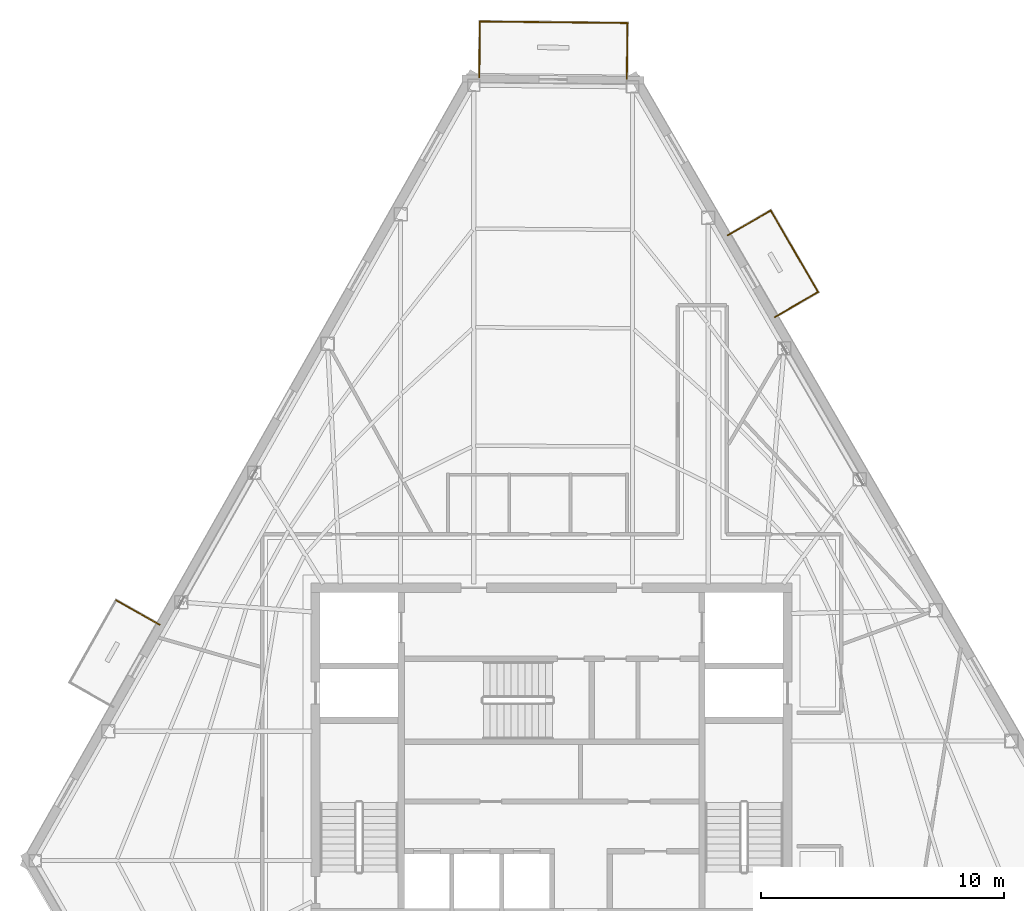
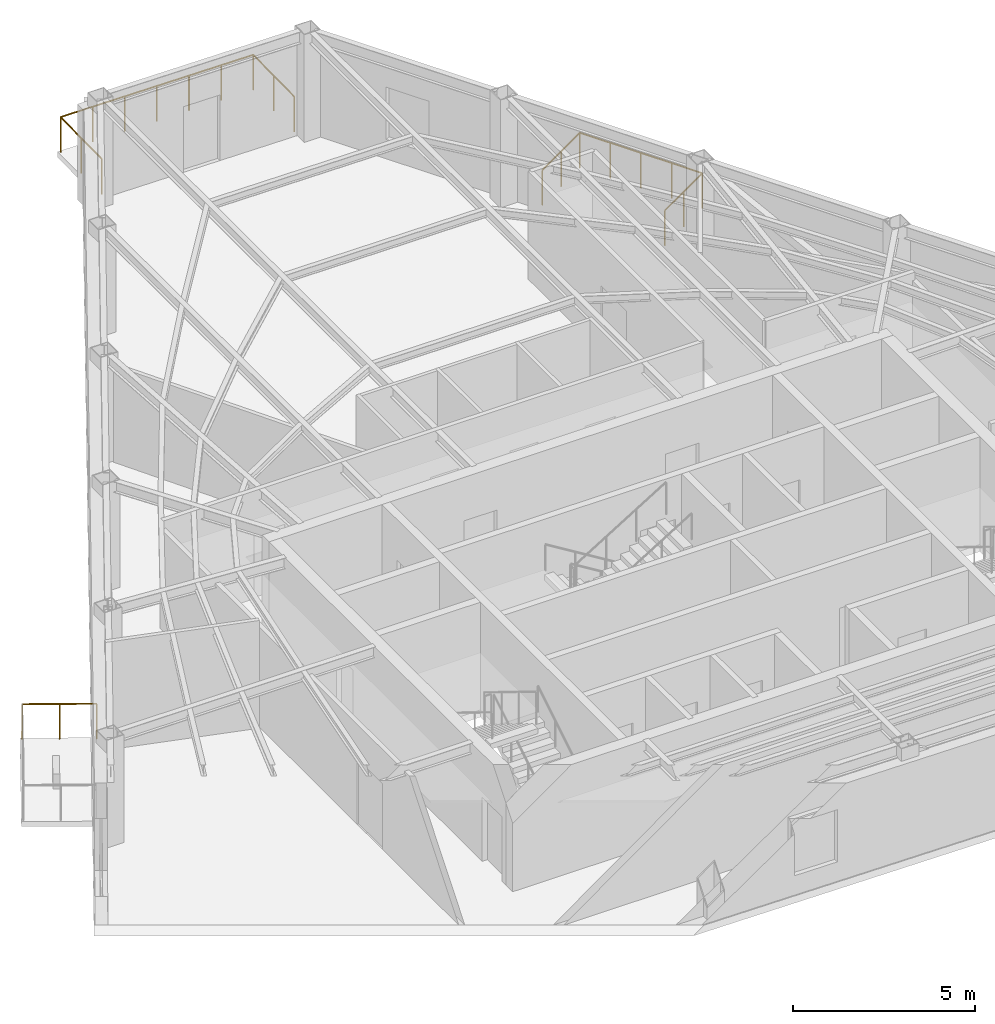
# One storey, part 10 of 10: 7 railings.
"""IFC4 building model written with IfcOpenShell, lengths in metres."""

from ifc_helpers import new_model, si_unit, direction, frame, origin, origin_2d, place, context, subcontext, project, spatial, circle, extrude, material, type_object, element, save


model = new_model("IFC4")

# Units and contexts
model_context = context("Model", 3, precision=1e-05, world=origin(), true_north=direction((0.0, 1.0)))
body_context = subcontext(model_context, "Body", "Model", "MODEL_VIEW")
ifc_project = project(units=[si_unit("LENGTHUNIT", "METRE"), si_unit("AREAUNIT", "SQUARE_METRE"), si_unit("VOLUMEUNIT", "CUBIC_METRE"), si_unit("PLANEANGLEUNIT", "RADIAN"), si_unit("MASSUNIT", "GRAM", prefix="KILO")], contexts=[model_context])

# Site, building, storey
site_placement = place(None, origin())
site = spatial("IfcSite", under=ifc_project, at=site_placement, CompositionType="ELEMENT")
building_placement = place(site_placement, origin())
building = spatial("IfcBuilding", under=site, at=building_placement, Name="Kavelnor Concourse Tower", CompositionType="ELEMENT")
storey_placement = place(building_placement, frame((0.0, 0.0, 247.199951171875)))
storey = spatial("IfcBuildingStorey", under=building, at=storey_placement, Name="L62", CompositionType="ELEMENT", Elevation=247.199951171875)

# Railings
ifc_material = material(Name="Architectural bronze-anodised aluminium", Category="aluminium")
railing_type = type_object("IfcRailingType", Name="RLG-TERRACE-1200", PredefinedType="BALUSTRADE", material=ifc_material)
railing_1_placement = place(storey_placement, frame((41.09716796875, 43.721923828125, 0.0)))
element("IfcRailing", 1, at=railing_1_placement, inside=storey, type_object=railing_type, Name="L62 Spiral Terrace Guardrail L", PredefinedType="BALUSTRADE", context=body_context, shape_type="SweptSolid", body=[
    extrude(circle(Radius=0.02392578125, at=origin_2d()), frame((0.0, 0.0, 1.17578125), z_axis=(0.010295601199, 0.999946998893, 0.0), x_axis=(-0.999946998893, 0.010295601199, 0.0)), (0.0, 0.0, 1.0), 2.300048828125),
    extrude(circle(Radius=0.02099609375, at=origin_2d()), origin(), (0.0, 0.0, 1.0), 1.15185546875),
    extrude(circle(Radius=0.02099609375, at=origin_2d()), frame((0.01171875, 1.14990234375, 0.0)), (0.0, 0.0, 1.0), 1.15185546875),
    extrude(circle(Radius=0.02099609375, at=origin_2d()), frame((0.023681640625, 2.300048828125, 0.0)), (0.0, 0.0, 1.0), 1.15185546875),
])
railing_2_placement = place(storey_placement, frame((41.120849609375, 46.02197265625, 0.0)))
element("IfcRailing", 2, at=railing_2_placement, inside=storey, type_object=railing_type, Name="L62 Spiral Terrace Guardrail F", PredefinedType="BALUSTRADE", context=body_context, shape_type="SweptSolid", body=[
    extrude(circle(Radius=0.02392578125, at=origin_2d()), frame((0.0, 0.0, 1.17578125), z_axis=(-0.999947013086, 0.010294222679, 0.0), x_axis=(-0.010294222679, -0.999947013086, 0.0)), (0.0, 0.0, 1.0), 6.0712890625),
    extrude(circle(Radius=0.02099609375, at=origin_2d()), origin(), (0.0, 0.0, 1.0), 1.15185546875),
    extrude(circle(Radius=0.02099609375, at=origin_2d()), frame((-1.01171875, 0.010498046875, 0.0)), (0.0, 0.0, 1.0), 1.15185546875),
    extrude(circle(Radius=0.02099609375, at=origin_2d()), frame((-2.023681640625, 0.020751953125, 0.0)), (0.0, 0.0, 1.0), 1.15185546875),
    extrude(circle(Radius=0.02099609375, at=origin_2d()), frame((-3.03564453125, 0.03125, 0.0)), (0.0, 0.0, 1.0), 1.15185546875),
    extrude(circle(Radius=0.02099609375, at=origin_2d()), frame((-4.04736328125, 0.041748046875, 0.0)), (0.0, 0.0, 1.0), 1.15185546875),
    extrude(circle(Radius=0.02099609375, at=origin_2d()), frame((-5.05908203125, 0.052001953125, 0.0)), (0.0, 0.0, 1.0), 1.15185546875),
    extrude(circle(Radius=0.02099609375, at=origin_2d()), frame((-6.071044921875, 0.0625, 0.0)), (0.0, 0.0, 1.0), 1.15185546875),
])
railing_3_placement = place(storey_placement, frame((35.0498046875, 46.08447265625, 0.0)))
element("IfcRailing", 3, at=railing_3_placement, inside=storey, type_object=railing_type, Name="L62 Spiral Terrace Guardrail R", PredefinedType="BALUSTRADE", context=body_context, shape_type="SweptSolid", body=[
    extrude(circle(Radius=0.02392578125, at=origin_2d()), frame((0.0, 0.0, 1.17578125), z_axis=(-0.010296694034, -0.999946987641, 0.0), x_axis=(0.999946987641, -0.010296694034, 0.0)), (0.0, 0.0, 1.0), 2.2998046875),
    extrude(circle(Radius=0.02099609375, at=origin_2d()), origin(), (0.0, 0.0, 1.0), 1.15185546875),
    extrude(circle(Radius=0.02099609375, at=origin_2d()), frame((-0.01171875, -1.14990234375, 0.0)), (0.0, 0.0, 1.0), 1.15185546875),
    extrude(circle(Radius=0.02099609375, at=origin_2d()), frame((-0.023681640625, -2.2998046875, 0.0)), (0.0, 0.0, 1.0), 1.15185546875),
])
railing_4_placement = place(storey_placement, frame((47.18896484375, 33.924072265625, 0.0)))
element("IfcRailing", 4, at=railing_4_placement, inside=storey, type_object=railing_type, Name="L62 Tree Balcony 1 Guardrail L", PredefinedType="BALUSTRADE", context=body_context, shape_type="SweptSolid", body=[
    extrude(circle(Radius=0.02392578125, at=origin_2d()), frame((0.0, 0.0, 1.17578125), z_axis=(0.86530395829, 0.501247503502, 0.0), x_axis=(-0.501247503502, 0.86530395829, 0.0)), (0.0, 0.0, 1.0), 2.050048828125),
    extrude(circle(Radius=0.02099609375, at=origin_2d()), origin(), (0.0, 0.0, 1.0), 1.15185546875),
    extrude(circle(Radius=0.02099609375, at=origin_2d()), frame((0.886962890625, 0.513671875, 0.0)), (0.0, 0.0, 1.0), 1.15185546875),
    extrude(circle(Radius=0.02099609375, at=origin_2d()), frame((1.77392578125, 1.027587890625, 0.0)), (0.0, 0.0, 1.0), 1.15185546875),
])
railing_5_placement = place(storey_placement, frame((48.962890625, 34.95166015625, 0.0)))
element("IfcRailing", 5, at=railing_5_placement, inside=storey, type_object=railing_type, Name="L62 Tree Balcony 1 Guardrail F", PredefinedType="BALUSTRADE", context=body_context, shape_type="SweptSolid", body=[
    extrude(circle(Radius=0.02392578125, at=origin_2d()), frame((0.0, 0.0, 1.17578125), z_axis=(-0.501239644799, 0.86530851058, 0.0), x_axis=(-0.86530851058, -0.501239644799, 0.0)), (0.0, 0.0, 1.0), 3.880126953125),
    extrude(circle(Radius=0.02099609375, at=origin_2d()), origin(), (0.0, 0.0, 1.0), 1.15185546875),
    extrude(circle(Radius=0.02099609375, at=origin_2d()), frame((-0.486328125, 0.83935546875, 0.0)), (0.0, 0.0, 1.0), 1.15185546875),
    extrude(circle(Radius=0.02099609375, at=origin_2d()), frame((-0.972412109375, 1.6787109375, 0.0)), (0.0, 0.0, 1.0), 1.15185546875),
    extrude(circle(Radius=0.02099609375, at=origin_2d()), frame((-1.45849609375, 2.51806640625, 0.0)), (0.0, 0.0, 1.0), 1.15185546875),
    extrude(circle(Radius=0.02099609375, at=origin_2d()), frame((-1.94482421875, 3.357421875, 0.0)), (0.0, 0.0, 1.0), 1.15185546875),
])
railing_6_placement = place(storey_placement, frame((47.01806640625, 38.30908203125, 0.0)))
element("IfcRailing", 6, at=railing_6_placement, inside=storey, type_object=railing_type, Name="L62 Tree Balcony 1 Guardrail R", PredefinedType="BALUSTRADE", context=body_context, shape_type="SweptSolid", body=[
    extrude(circle(Radius=0.02392578125, at=origin_2d()), frame((0.0, 0.0, 1.17578125), z_axis=(-0.86530395829, -0.501247503502, 0.0), x_axis=(0.501247503502, -0.86530395829, 0.0)), (0.0, 0.0, 1.0), 2.050048828125),
    extrude(circle(Radius=0.02099609375, at=origin_2d()), origin(), (0.0, 0.0, 1.0), 1.15185546875),
    extrude(circle(Radius=0.02099609375, at=origin_2d()), frame((-0.886962890625, -0.513671875, 0.0)), (0.0, 0.0, 1.0), 1.15185546875),
    extrude(circle(Radius=0.02099609375, at=origin_2d()), frame((-1.77392578125, -1.027587890625, 0.0)), (0.0, 0.0, 1.0), 1.15185546875),
])
railing_7_placement = place(storey_placement, frame((21.8720703125, 21.266357421875, 0.0)))
element("IfcRailing", 7, at=railing_7_placement, inside=storey, type_object=railing_type, Name="L62 Tree Balcony 2 Guardrail L", PredefinedType="BALUSTRADE", context=body_context, shape_type="SweptSolid", body=[
    extrude(circle(Radius=0.02392578125, at=origin_2d()), frame((0.0, 0.0, 1.17578125), z_axis=(-0.870469662384, 0.492222070685, 0.0), x_axis=(-0.492222070685, -0.870469662384, 0.0)), (0.0, 0.0, 1.0), 2.050048828125),
    extrude(circle(Radius=0.02099609375, at=origin_2d()), origin(), (0.0, 0.0, 1.0), 1.15185546875),
    extrude(circle(Radius=0.02099609375, at=origin_2d()), frame((-0.89208984375, 0.50439453125, 0.0)), (0.0, 0.0, 1.0), 1.15185546875),
    extrude(circle(Radius=0.02099609375, at=origin_2d()), frame((-1.784423828125, 1.009033203125, 0.0)), (0.0, 0.0, 1.0), 1.15185546875),
])

save(model, "model.ifc")
